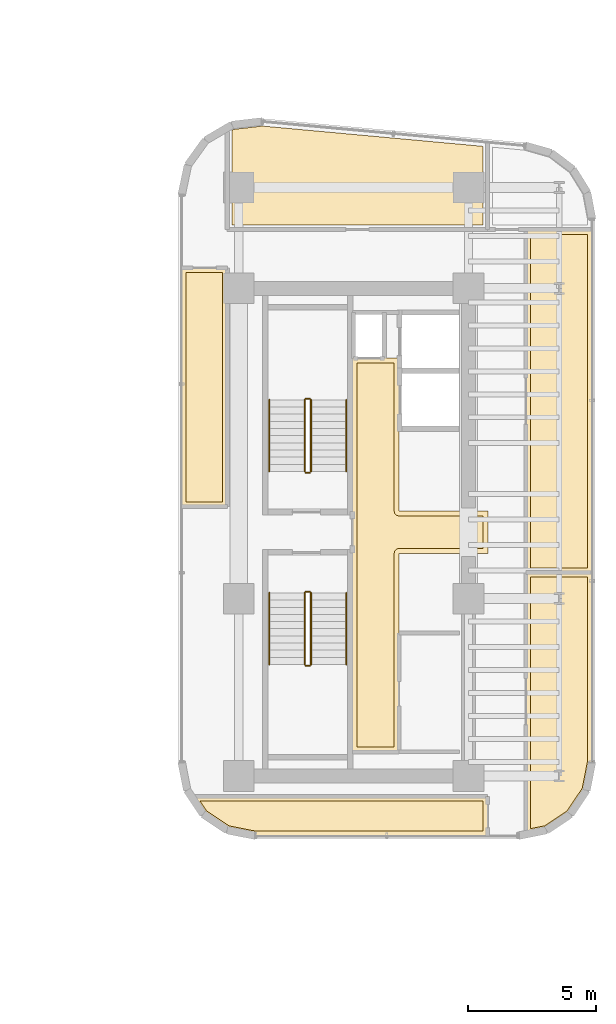
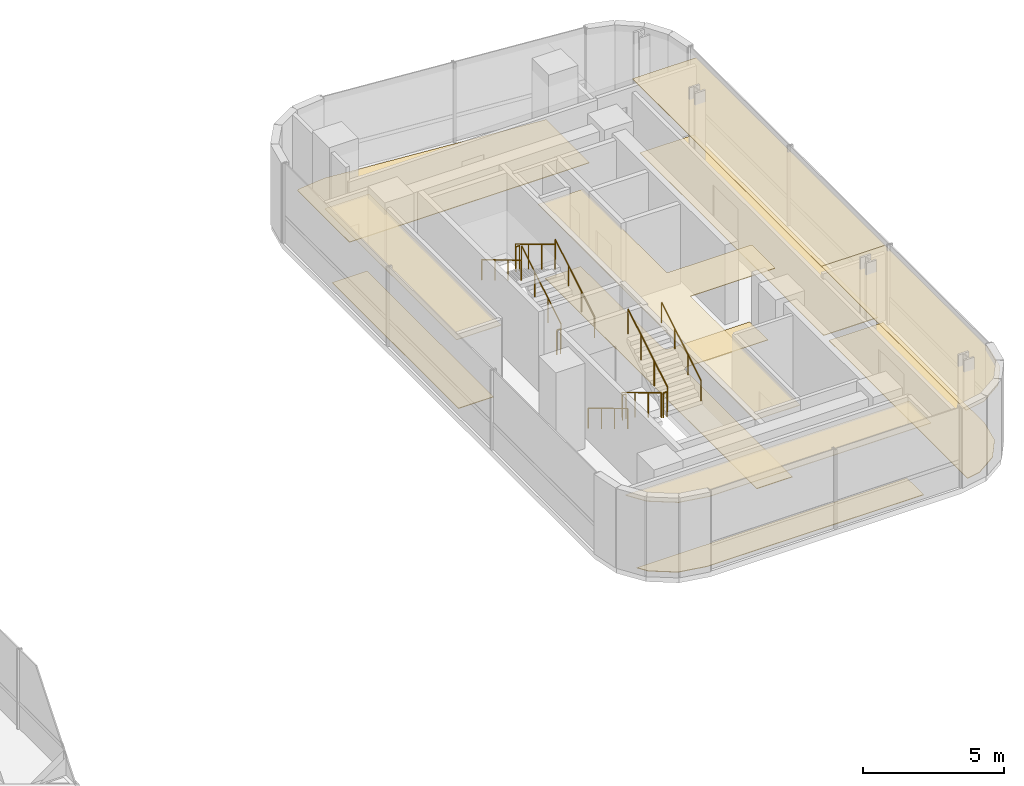
# One storey, part 33 of 34: 12 railings, 11 coverings.
"""IFC4 building model written with IfcOpenShell, lengths in metres."""

from ifc_helpers import new_model, si_unit, direction, frame, origin, origin_2d, place, context, subcontext, project, spatial, polyline, circle, outline, extrude, material, layer, layer_set, type_object, element, save


model = new_model("IFC4")

# Units and contexts
model_context = context("Model", 3, precision=1e-05, world=origin(), true_north=direction((0.0, 1.0)))
body_context = subcontext(model_context, "Body", "Model", "MODEL_VIEW")
ifc_project = project(units=[si_unit("LENGTHUNIT", "METRE"), si_unit("AREAUNIT", "SQUARE_METRE"), si_unit("VOLUMEUNIT", "CUBIC_METRE"), si_unit("PLANEANGLEUNIT", "RADIAN"), si_unit("MASSUNIT", "GRAM", prefix="KILO")], contexts=[model_context])

# Site, building, storey
site_placement = place(None, origin())
site = spatial("IfcSite", under=ifc_project, at=site_placement, CompositionType="ELEMENT")
building_placement = place(site_placement, origin())
building = spatial("IfcBuilding", under=site, at=building_placement, Name="Valdorenza Pilgrim Sanctuary Tower", CompositionType="ELEMENT")
storey_placement = place(building_placement, frame((0.0, 0.0, 164.89990234375)))
storey = spatial("IfcBuildingStorey", under=building, at=storey_placement, Name="L42", CompositionType="ELEMENT", Elevation=164.89990234375)

# Coverings
ifc_material_1 = material(Name="Micro-perforated acoustic mineral ceiling tile", Category="gypsum")
ifc_layer_1 = layer(ifc_material_1, 0.02490234375, Name="Micro-perforated acoustic mineral ceiling tile")
ifc_layer_set_1 = layer_set([ifc_layer_1], Name="Micro-perforated acoustic mineral ceiling tile")
covering_type_1 = type_object("IfcCoveringType", Name="COV-CLG-ACU", PredefinedType="CEILING", material=ifc_layer_set_1)
covering_1_placement = place(storey_placement, frame((0.0, 0.0, 3.16015625)))
element("IfcCovering", 1, at=covering_1_placement, inside=storey, type_object=covering_type_1, Name="L42 Core B Passenger Lift Lobby Acoustic Ceiling", PredefinedType="CEILING", context=body_context, shape_type="SweptSolid", body=[
    extrude(outline(polyline([(20.287109375, -0.814697265625), (20.287109375, 0.814697265625), (20.28662109375, 0.815185546875), (20.2861328125, 0.81640625), (20.28564453125, 0.81787109375), (20.285400390625, 0.819091796875), (20.28515625, 0.820556640625), (20.284912109375, 0.822021484375), (20.284912109375, 6.800048828125), (20.28515625, 6.801513671875), (20.285400390625, 6.802978515625), (20.28564453125, 6.804443359375), (20.2861328125, 6.8056640625), (20.286865234375, 6.80712890625), (20.28759765625, 6.808349609375), (20.288330078125, 6.8095703125), (20.289306640625, 6.810546875), (20.29052734375, 6.8115234375), (20.291748046875, 6.8125), (20.29296875, 6.813232421875), (20.294189453125, 6.81396484375), (20.295654296875, 6.814453125), (20.297119140625, 6.814697265625), (20.298583984375, 6.81494140625), (20.300048828125, 6.81494140625), (20.347900390625, 6.81494140625), (20.349365234375, 6.81494140625), (20.350830078125, 6.814697265625), (20.352294921875, 6.814453125), (20.353515625, 6.81396484375), (20.35498046875, 6.813232421875), (20.35546875, 6.81298828125), (21.544677734375, 6.81298828125), (21.545166015625, 6.813232421875), (21.54638671875, 6.81396484375), (21.5478515625, 6.814453125), (21.54931640625, 6.814697265625), (21.550537109375, 6.81494140625), (21.552001953125, 6.81494140625), (22.1201171875, 6.81494140625), (22.12158203125, 6.81494140625), (22.122802734375, 6.814697265625), (22.12451171875, 6.814453125), (22.125732421875, 6.81396484375), (22.127197265625, 6.813232421875), (22.12841796875, 6.8125), (22.12939453125, 6.8115234375), (22.130615234375, 6.810546875), (22.131591796875, 6.8095703125), (22.132568359375, 6.808349609375), (22.13330078125, 6.80712890625), (22.1337890625, 6.8056640625), (22.134521484375, 6.804443359375), (22.134765625, 6.802978515625), (22.135009765625, 6.801513671875), (22.135009765625, 6.800048828125), (22.135009765625, 0.8349609375), (25.60009765625, 0.8349609375), (25.6015625, 0.8349609375), (25.602783203125, 0.834716796875), (25.6044921875, 0.83447265625), (25.605712890625, 0.833984375), (25.607177734375, 0.833251953125), (25.6083984375, 0.83251953125), (25.609619140625, 0.83154296875), (25.610595703125, 0.83056640625), (25.611572265625, 0.82958984375), (25.612548828125, 0.828369140625), (25.61328125, 0.8271484375), (25.614013671875, 0.82568359375), (25.614501953125, 0.824462890625), (25.61474609375, 0.822998046875), (25.614990234375, 0.821533203125), (25.614990234375, 0.820068359375), (25.614990234375, -0.820068359375), (25.614990234375, -0.821533203125), (25.61474609375, -0.822998046875), (25.614501953125, -0.824462890625), (25.614013671875, -0.82568359375), (25.61328125, -0.8271484375), (25.612548828125, -0.828369140625), (25.611572265625, -0.82958984375), (25.610595703125, -0.83056640625), (25.609619140625, -0.83154296875), (25.6083984375, -0.83251953125), (25.607177734375, -0.833251953125), (25.605712890625, -0.833984375), (25.6044921875, -0.83447265625), (25.602783203125, -0.834716796875), (25.6015625, -0.8349609375), (25.60009765625, -0.8349609375), (22.135009765625, -0.8349609375), (22.135009765625, -8.60009765625), (22.135009765625, -8.6015625), (22.134765625, -8.602783203125), (22.134521484375, -8.6044921875), (22.1337890625, -8.605712890625), (22.13330078125, -8.607177734375), (22.132568359375, -8.6083984375), (22.131591796875, -8.609619140625), (22.130615234375, -8.610595703125), (22.12939453125, -8.611572265625), (22.12841796875, -8.612548828125), (22.127197265625, -8.61328125), (22.125732421875, -8.614013671875), (22.12451171875, -8.614501953125), (22.122802734375, -8.61474609375), (22.12158203125, -8.614990234375), (22.1201171875, -8.614990234375), (20.300048828125, -8.614990234375), (20.298583984375, -8.614990234375), (20.297119140625, -8.61474609375), (20.295654296875, -8.614501953125), (20.294189453125, -8.614013671875), (20.29296875, -8.61328125), (20.291748046875, -8.612548828125), (20.29052734375, -8.611572265625), (20.289306640625, -8.610595703125), (20.288330078125, -8.609619140625), (20.28759765625, -8.6083984375), (20.286865234375, -8.607177734375), (20.2861328125, -8.605712890625), (20.28564453125, -8.6044921875), (20.285400390625, -8.602783203125), (20.28515625, -8.6015625), (20.284912109375, -8.60009765625), (20.284912109375, -0.822021484375), (20.28515625, -0.820556640625), (20.285400390625, -0.819091796875), (20.28564453125, -0.81787109375), (20.2861328125, -0.81640625), (20.28662109375, -0.815185546875), (20.287109375, -0.814697265625)])), origin(), (0.0, 0.0, 1.0), 0.02490234375),
])
covering_2_placement = place(storey_placement, frame((0.0, 0.0, 3.16015625)))
element("IfcCovering", 2, at=covering_2_placement, inside=storey, type_object=covering_type_1, Name="L42 Sacred Manuscript Archive L42-BS Acoustic Ceiling", PredefinedType="CEILING", context=body_context, shape_type="SweptSolid", body=[
    extrude(outline(polyline([(25.614990234375, -11.889892578125), (25.614990234375, -11.8916015625), (25.61474609375, -11.892822265625), (25.614501953125, -11.894287109375), (25.614013671875, -11.895751953125), (25.61328125, -11.897216796875), (25.612548828125, -11.898193359375), (25.611572265625, -11.8994140625), (25.610595703125, -11.900634765625), (25.609619140625, -11.901611328125), (25.6083984375, -11.902587890625), (25.607177734375, -11.9033203125), (25.605712890625, -11.90380859375), (25.6044921875, -11.904296875), (25.602783203125, -11.90478515625), (25.6015625, -11.90478515625), (25.60009765625, -11.905029296875), (16.5107421875, -11.905029296875), (16.509521484375, -11.90478515625), (16.5078125, -11.90478515625), (15.391845703125, -11.6826171875), (15.390380859375, -11.682373046875), (15.38916015625, -11.681884765625), (15.3876953125, -11.68115234375), (15.386474609375, -11.680419921875), (14.44970703125, -11.054443359375), (14.448486328125, -11.0537109375), (14.447509765625, -11.052490234375), (14.4462890625, -11.051513671875), (14.445556640625, -11.05029296875), (13.983154296875, -10.3583984375), (13.982421875, -10.357177734375), (13.981689453125, -10.355712890625), (13.981201171875, -10.3544921875), (13.98095703125, -10.352783203125), (13.980712890625, -10.3515625), (13.980712890625, -10.35009765625), (13.980712890625, -10.348388671875), (13.98095703125, -10.34716796875), (13.981201171875, -10.345703125), (13.981689453125, -10.34423828125), (13.982421875, -10.343017578125), (13.983154296875, -10.341796875), (13.98388671875, -10.340576171875), (13.985107421875, -10.33935546875), (13.986083984375, -10.33837890625), (13.9873046875, -10.33740234375), (13.988525390625, -10.3369140625), (13.989990234375, -10.336181640625), (13.9912109375, -10.335693359375), (13.99267578125, -10.335205078125), (13.994140625, -10.335205078125), (13.99560546875, -10.3349609375), (25.60009765625, -10.3349609375), (25.6015625, -10.335205078125), (25.602783203125, -10.335205078125), (25.6044921875, -10.335693359375), (25.605712890625, -10.336181640625), (25.607177734375, -10.3369140625), (25.6083984375, -10.33740234375), (25.609619140625, -10.33837890625), (25.610595703125, -10.33935546875), (25.611572265625, -10.340576171875), (25.612548828125, -10.341796875), (25.61328125, -10.343017578125), (25.614013671875, -10.34423828125), (25.614501953125, -10.345703125), (25.61474609375, -10.34716796875), (25.614990234375, -10.348388671875), (25.614990234375, -10.35009765625), (25.614990234375, -11.889892578125)])), origin(), (0.0, 0.0, 1.0), 0.02490234375),
])
covering_3_placement = place(storey_placement, frame((0.0, 0.0, 3.16015625)))
element("IfcCovering", 3, at=covering_3_placement, inside=storey, type_object=covering_type_1, Name="L42 East Reading Lounge L42-EB1 Acoustic Ceiling", PredefinedType="CEILING", context=body_context, shape_type="SweptSolid", body=[
    extrude(outline(polyline([(29.68994140625, -1.56005859375), (29.69140625, -1.56005859375), (29.69287109375, -1.560302734375), (29.6943359375, -1.560546875), (29.69580078125, -1.56103515625), (29.697021484375, -1.561767578125), (29.6982421875, -1.5625), (29.699462890625, -1.5634765625), (29.70068359375, -1.564453125), (29.70166015625, -1.5654296875), (29.702392578125, -1.566650390625), (29.703125, -1.56787109375), (29.703857421875, -1.5693359375), (29.704345703125, -1.570556640625), (29.70458984375, -1.572021484375), (29.704833984375, -1.573486328125), (29.705078125, -1.574951171875), (29.705078125, -8.9892578125), (29.704833984375, -8.990478515625), (29.70458984375, -8.9921875), (29.482666015625, -10.108154296875), (29.482421875, -10.109619140625), (29.481689453125, -10.11083984375), (29.481201171875, -10.1123046875), (29.48046875, -10.113525390625), (28.8544921875, -11.05029296875), (28.853515625, -11.051513671875), (28.8525390625, -11.052490234375), (28.8515625, -11.0537109375), (28.850341796875, -11.054443359375), (27.91357421875, -11.680419921875), (27.912109375, -11.68115234375), (27.910888671875, -11.681884765625), (27.909423828125, -11.682373046875), (27.908203125, -11.6826171875), (27.102783203125, -11.843017578125), (27.1015625, -11.843017578125), (27.10009765625, -11.84326171875), (27.098388671875, -11.843017578125), (27.09716796875, -11.843017578125), (27.095703125, -11.842529296875), (27.09423828125, -11.842041015625), (27.093017578125, -11.84130859375), (27.091796875, -11.840576171875), (27.090576171875, -11.83984375), (27.08935546875, -11.8388671875), (27.08837890625, -11.837646484375), (27.08740234375, -11.83642578125), (27.0869140625, -11.835205078125), (27.086181640625, -11.833984375), (27.085693359375, -11.83251953125), (27.085205078125, -11.8310546875), (27.085205078125, -11.82958984375), (27.0849609375, -11.828125), (27.0849609375, -1.574951171875), (27.085205078125, -1.573486328125), (27.085205078125, -1.572021484375), (27.085693359375, -1.570556640625), (27.086181640625, -1.5693359375), (27.0869140625, -1.56787109375), (27.08740234375, -1.566650390625), (27.08837890625, -1.5654296875), (27.08935546875, -1.564453125), (27.090576171875, -1.5634765625), (27.091796875, -1.5625), (27.093017578125, -1.561767578125), (27.09423828125, -1.56103515625), (27.095703125, -1.560546875), (27.09716796875, -1.560302734375), (27.098388671875, -1.56005859375), (27.10009765625, -1.56005859375), (29.68994140625, -1.56005859375)])), origin(), (0.0, 0.0, 1.0), 0.02490234375),
])
covering_4_placement = place(storey_placement, frame((0.0, 0.0, 3.16015625)))
element("IfcCovering", 4, at=covering_4_placement, inside=storey, type_object=covering_type_1, Name="L42 East Reading Lounge L42-EB2 Acoustic Ceiling", PredefinedType="CEILING", context=body_context, shape_type="SweptSolid", body=[
    extrude(outline(polyline([(27.0849609375, 11.847900390625), (27.085205078125, 11.849609375), (27.085205078125, 11.850830078125), (27.085693359375, 11.852294921875), (27.086181640625, 11.853759765625), (27.0869140625, 11.85498046875), (27.08740234375, 11.856201171875), (27.08837890625, 11.857421875), (27.08935546875, 11.858642578125), (27.090576171875, 11.859619140625), (27.091796875, 11.860595703125), (27.093017578125, 11.861083984375), (27.09423828125, 11.86181640625), (27.095703125, 11.8623046875), (27.09716796875, 11.86279296875), (27.098388671875, 11.86279296875), (27.10009765625, 11.863037109375), (29.68994140625, 11.863037109375), (29.69140625, 11.86279296875), (29.69287109375, 11.86279296875), (29.6943359375, 11.8623046875), (29.69580078125, 11.86181640625), (29.697021484375, 11.861083984375), (29.6982421875, 11.860595703125), (29.699462890625, 11.859619140625), (29.70068359375, 11.858642578125), (29.70166015625, 11.857421875), (29.702392578125, 11.856201171875), (29.703125, 11.85498046875), (29.703857421875, 11.853759765625), (29.704345703125, 11.852294921875), (29.70458984375, 11.850830078125), (29.704833984375, 11.849609375), (29.705078125, 11.847900390625), (29.705078125, -1.572998046875), (29.704833984375, -1.574462890625), (29.70458984375, -1.575927734375), (29.704345703125, -1.577392578125), (29.703857421875, -1.57861328125), (29.703125, -1.580078125), (29.702392578125, -1.581298828125), (29.70166015625, -1.58251953125), (29.70068359375, -1.58349609375), (29.699462890625, -1.584716796875), (29.6982421875, -1.58544921875), (29.697021484375, -1.586181640625), (29.69580078125, -1.5869140625), (29.6943359375, -1.58740234375), (29.69287109375, -1.587646484375), (29.69140625, -1.587890625), (29.68994140625, -1.587890625), (27.10009765625, -1.587890625), (27.098388671875, -1.587890625), (27.09716796875, -1.587646484375), (27.095703125, -1.58740234375), (27.09423828125, -1.5869140625), (27.093017578125, -1.586181640625), (27.091796875, -1.58544921875), (27.090576171875, -1.584716796875), (27.08935546875, -1.58349609375), (27.08837890625, -1.58251953125), (27.08740234375, -1.581298828125), (27.0869140625, -1.580078125), (27.086181640625, -1.57861328125), (27.085693359375, -1.577392578125), (27.085205078125, -1.575927734375), (27.085205078125, -1.574462890625), (27.0849609375, -1.572998046875), (27.0849609375, 11.847900390625)])), origin(), (0.0, 0.0, 1.0), 0.02490234375),
])
covering_5_placement = place(storey_placement, frame((0.0, 0.0, 3.16015625)))
element("IfcCovering", 5, at=covering_5_placement, inside=storey, type_object=covering_type_1, Name="L42 Courtyard Overlook Salon L42 Acoustic Ceiling", PredefinedType="CEILING", context=body_context, shape_type="SweptSolid", body=[
    extrude(outline(polyline([(15.4150390625, 1.0), (15.414794921875, 0.99853515625), (15.414794921875, 0.9970703125), (15.414306640625, 0.99560546875), (15.413818359375, 0.994384765625), (15.4130859375, 0.992919921875), (15.41259765625, 0.99169921875), (15.41162109375, 0.990478515625), (15.41064453125, 0.989501953125), (15.409423828125, 0.98828125), (15.408203125, 0.987548828125), (15.406982421875, 0.98681640625), (15.40576171875, 0.986083984375), (15.404296875, 0.985595703125), (15.40283203125, 0.9853515625), (15.401611328125, 0.985107421875), (15.39990234375, 0.985107421875), (13.610107421875, 0.985107421875), (13.6083984375, 0.985107421875), (13.607177734375, 0.9853515625), (13.605712890625, 0.985595703125), (13.604248046875, 0.986083984375), (13.602783203125, 0.98681640625), (13.601806640625, 0.987548828125), (13.6005859375, 0.98828125), (13.599365234375, 0.989501953125), (13.598388671875, 0.990478515625), (13.597412109375, 0.99169921875), (13.5966796875, 0.992919921875), (13.59619140625, 0.994384765625), (13.595703125, 0.99560546875), (13.59521484375, 0.9970703125), (13.59521484375, 0.99853515625), (13.594970703125, 1.0), (13.594970703125, 10.35009765625), (13.59521484375, 10.3515625), (13.59521484375, 10.352783203125), (13.595703125, 10.3544921875), (13.59619140625, 10.355712890625), (13.5966796875, 10.357177734375), (13.597412109375, 10.3583984375), (13.598388671875, 10.359619140625), (13.599365234375, 10.360595703125), (13.6005859375, 10.361572265625), (13.601806640625, 10.362548828125), (13.602783203125, 10.36328125), (13.604248046875, 10.364013671875), (13.605712890625, 10.364501953125), (13.607177734375, 10.36474609375), (13.6083984375, 10.364990234375), (13.610107421875, 10.364990234375), (15.39990234375, 10.364990234375), (15.401611328125, 10.364990234375), (15.40283203125, 10.36474609375), (15.404296875, 10.364501953125), (15.40576171875, 10.364013671875), (15.406982421875, 10.36328125), (15.408203125, 10.362548828125), (15.409423828125, 10.361572265625), (15.41064453125, 10.360595703125), (15.41162109375, 10.359619140625), (15.41259765625, 10.3583984375), (15.4130859375, 10.357177734375), (15.413818359375, 10.355712890625), (15.414306640625, 10.3544921875), (15.414794921875, 10.352783203125), (15.414794921875, 10.3515625), (15.4150390625, 10.35009765625), (15.4150390625, 1.0)])), origin(), (0.0, 0.0, 1.0), 0.02490234375),
])
ifc_material_2 = material(Name="Honed travertine stone flooring", Category="masonry")
ifc_layer_2 = layer(ifc_material_2, 0.030029296875, Name="Honed travertine stone flooring")
ifc_layer_set_2 = layer_set([ifc_layer_2], Name="Honed travertine stone flooring")
covering_type_2 = type_object("IfcCoveringType", Name="COV-FLR-TRV", PredefinedType="FLOORING", material=ifc_layer_set_2)
covering_6_placement = place(storey_placement, origin())
element("IfcCovering", 6, at=covering_6_placement, inside=storey, type_object=covering_type_2, Name="L42 Core B Passenger Lift Lobby Flooring", PredefinedType="FLOORING", context=body_context, shape_type="SweptSolid", body=[
    extrude(outline(polyline([(20.47998046875, 6.617919921875), (21.550048828125, 6.617919921875), (21.550537109375, 6.617919921875), (21.93994140625, 6.619384765625), (21.93994140625, 0.820068359375), (21.94091796875, 0.802490234375), (21.943603515625, 0.784912109375), (21.94775390625, 0.767578125), (21.95361328125, 0.751220703125), (21.961181640625, 0.735107421875), (21.97021484375, 0.719970703125), (21.98095703125, 0.705810546875), (21.99267578125, 0.692626953125), (22.005859375, 0.680908203125), (22.02001953125, 0.67041015625), (22.03515625, 0.661376953125), (22.051025390625, 0.65380859375), (22.067626953125, 0.647705078125), (22.0849609375, 0.6435546875), (22.102294921875, 0.640869140625), (22.1201171875, 0.639892578125), (25.419921875, 0.639892578125), (25.419921875, -0.639892578125), (22.1201171875, -0.639892578125), (22.102294921875, -0.640869140625), (22.0849609375, -0.6435546875), (22.067626953125, -0.647705078125), (22.051025390625, -0.65380859375), (22.03515625, -0.661376953125), (22.02001953125, -0.67041015625), (22.005859375, -0.680908203125), (21.99267578125, -0.692626953125), (21.98095703125, -0.705810546875), (21.97021484375, -0.719970703125), (21.961181640625, -0.735107421875), (21.95361328125, -0.751220703125), (21.94775390625, -0.767578125), (21.943603515625, -0.784912109375), (21.94091796875, -0.802490234375), (21.93994140625, -0.820068359375), (21.93994140625, -8.419921875), (20.47998046875, -8.419921875), (20.47998046875, -0.846923828125), (20.47998046875, -0.8466796875), (20.47998046875, -0.8466796875), (20.481689453125, -0.8291015625), (20.481689453125, -0.828857421875), (20.48193359375, -0.820068359375), (20.48193359375, 0.820068359375), (20.47998046875, 6.617919921875)])), origin(), (0.0, 0.0, 1.0), 0.025146484375),
])
covering_7_placement = place(storey_placement, origin())
element("IfcCovering", 7, at=covering_7_placement, inside=storey, type_object=covering_type_2, Name="L42 Curator Research Office L42-BN1 Flooring", PredefinedType="FLOORING", context=body_context, shape_type="SweptSolid", body=[
    extrude(outline(polyline([(15.580078125, 12.030029296875), (15.580078125, 15.7392578125), (15.6396484375, 15.7744140625), (16.7783203125, 15.906982421875), (25.419921875, 15.11181640625), (25.419921875, 12.030029296875), (15.580078125, 12.030029296875)])), origin(), (0.0, 0.0, 1.0), 0.025146484375),
])
covering_8_placement = place(storey_placement, origin())
element("IfcCovering", 8, at=covering_8_placement, inside=storey, type_object=covering_type_2, Name="L42 Sacred Manuscript Archive L42-BS Flooring", PredefinedType="FLOORING", context=body_context, shape_type="SweptSolid", body=[
    extrude(outline(polyline([(25.419921875, -11.7099609375), (16.528564453125, -11.7099609375), (15.465087890625, -11.498291015625), (14.587890625, -10.912109375), (14.33251953125, -10.530029296875), (25.419921875, -10.530029296875), (25.419921875, -11.7099609375)])), origin(), (0.0, 0.0, 1.0), 0.025146484375),
])
covering_9_placement = place(storey_placement, origin())
element("IfcCovering", 9, at=covering_9_placement, inside=storey, type_object=covering_type_2, Name="L42 East Reading Lounge L42-EB1 Flooring", PredefinedType="FLOORING", context=body_context, shape_type="SweptSolid", body=[
    extrude(outline(polyline([(29.510009765625, -1.7548828125), (29.510009765625, -8.971435546875), (29.29833984375, -10.034912109375), (28.712158203125, -10.912109375), (27.8349609375, -11.498291015625), (27.280029296875, -11.60888671875), (27.280029296875, -1.7548828125), (29.510009765625, -1.7548828125)])), origin(), (0.0, 0.0, 1.0), 0.025146484375),
])
covering_10_placement = place(storey_placement, origin())
element("IfcCovering", 10, at=covering_10_placement, inside=storey, type_object=covering_type_2, Name="L42 East Reading Lounge L42-EB2 Flooring", PredefinedType="FLOORING", context=body_context, shape_type="SweptSolid", body=[
    extrude(outline(polyline([(27.280029296875, 11.66796875), (29.510009765625, 11.66796875), (29.510009765625, -1.39306640625), (27.280029296875, -1.39306640625), (27.280029296875, 11.66796875)])), origin(), (0.0, 0.0, 1.0), 0.025146484375),
])
covering_11_placement = place(storey_placement, origin())
element("IfcCovering", 11, at=covering_11_placement, inside=storey, type_object=covering_type_2, Name="L42 Courtyard Overlook Salon L42 Flooring", PredefinedType="FLOORING", context=body_context, shape_type="SweptSolid", body=[
    extrude(outline(polyline([(15.219970703125, 1.179931640625), (13.7900390625, 1.179931640625), (13.7900390625, 10.169921875), (15.219970703125, 10.169921875), (15.219970703125, 1.179931640625)])), origin(), (0.0, 0.0, 1.0), 0.025146484375),
])

# Railings
ifc_material_3 = material(Name="Stainless steel Grade 316", Category="steel")
railing_type_1 = type_object("IfcRailingType", Name="RLG-GRD-1120", PredefinedType="GUARDRAIL", material=ifc_material_3)
railing_1_placement = place(storey_placement, frame((18.679931640625, 2.3798828125, 0.168212890625)))
element("IfcRailing", 12, at=railing_1_placement, inside=storey, type_object=railing_type_1, Name="L42 ST-B1 stair guard 1", PredefinedType="GUARDRAIL", context=body_context, shape_type="SweptSolid", body=[
    extrude(circle(Radius=0.02392578125, at=origin_2d()), frame((0.0, 0.0, 1.076171875), z_axis=(0.0, 0.857242210791, 0.514913383045), x_axis=(-1.0, 0.0, 0.0)), (0.0, 0.0, 1.0), 3.266357421875),
    extrude(circle(Radius=0.02099609375, at=origin_2d()), origin(), (0.0, 0.0, 1.0), 1.052001953125),
    extrude(circle(Radius=0.02099609375, at=origin_2d()), frame((0.0, 0.933349609375, 0.560546875)), (0.0, 0.0, 1.0), 1.052001953125),
    extrude(circle(Radius=0.02099609375, at=origin_2d()), frame((0.0, 1.86669921875, 1.121337890625)), (0.0, 0.0, 1.0), 1.052001953125),
    extrude(circle(Radius=0.02099609375, at=origin_2d()), frame((0.0, 2.800048828125, 1.681884765625)), (0.0, 0.0, 1.0), 1.052001953125),
])
railing_2_placement = place(storey_placement, frame((18.6298828125, 5.22998046875, 1.85009765625)))
element("IfcRailing", 13, at=railing_2_placement, inside=storey, type_object=railing_type_1, Name="L42 ST-B1 stair guard 2", PredefinedType="GUARDRAIL", context=body_context, shape_type="SweptSolid", body=[
    extrude(circle(Radius=0.02392578125, at=origin_2d()), frame((0.0, 0.0, 1.076171875), z_axis=(-1.0, 0.0, 0.0), x_axis=(0.0, -1.0, 0.0)), (0.0, 0.0, 1.0), 0.14990234375),
    extrude(circle(Radius=0.02099609375, at=origin_2d()), origin(), (0.0, 0.0, 1.0), 1.052001953125),
    extrude(circle(Radius=0.02099609375, at=origin_2d()), frame((-0.14990234375, 0.0, 0.0)), (0.0, 0.0, 1.0), 1.052001953125),
])
railing_3_placement = place(storey_placement, frame((18.429931640625, 5.179931640625, 2.018310546875)))
element("IfcRailing", 14, at=railing_3_placement, inside=storey, type_object=railing_type_1, Name="L42 ST-B1 stair guard 3", PredefinedType="GUARDRAIL", context=body_context, shape_type="SweptSolid", body=[
    extrude(circle(Radius=0.02392578125, at=origin_2d()), frame((0.0, 0.0, 1.076171875), z_axis=(0.0, -0.857242210791, 0.514913383045), x_axis=(1.0, 0.0, 0.0)), (0.0, 0.0, 1.0), 3.266357421875),
    extrude(circle(Radius=0.02099609375, at=origin_2d()), origin(), (0.0, 0.0, 1.0), 1.052001953125),
    extrude(circle(Radius=0.02099609375, at=origin_2d()), frame((0.0, -0.933349609375, 0.560546875)), (0.0, 0.0, 1.0), 1.052001953125),
    extrude(circle(Radius=0.02099609375, at=origin_2d()), frame((0.0, -1.86669921875, 1.121337890625)), (0.0, 0.0, 1.0), 1.052001953125),
    extrude(circle(Radius=0.02099609375, at=origin_2d()), frame((0.0, -2.800048828125, 1.681884765625)), (0.0, 0.0, 1.0), 1.052001953125),
])
railing_4_placement = place(storey_placement, frame((18.6298828125, 2.330078125, 0.0)))
element("IfcRailing", 15, at=railing_4_placement, inside=storey, type_object=railing_type_1, Name="L42 ST-B1 stair guard 4", PredefinedType="GUARDRAIL", context=body_context, shape_type="SweptSolid", body=[
    extrude(circle(Radius=0.02392578125, at=origin_2d()), frame((0.0, 0.0, 1.076171875), z_axis=(-1.0, 0.0, 0.0), x_axis=(0.0, -1.0, 0.0)), (0.0, 0.0, 1.0), 0.14990234375),
    extrude(circle(Radius=0.02099609375, at=origin_2d()), origin(), (0.0, 0.0, 1.0), 1.052001953125),
    extrude(circle(Radius=0.02099609375, at=origin_2d()), frame((-0.14990234375, 0.0, 0.0)), (0.0, 0.0, 1.0), 1.052001953125),
])
railing_5_placement = place(storey_placement, frame((18.429931640625, -2.3798828125, 0.168212890625)))
element("IfcRailing", 16, at=railing_5_placement, inside=storey, type_object=railing_type_1, Name="L42 ST-B2 stair guard 1", PredefinedType="GUARDRAIL", context=body_context, shape_type="SweptSolid", body=[
    extrude(circle(Radius=0.02392578125, at=origin_2d()), frame((0.0, 0.0, 1.076171875), z_axis=(0.0, -0.857242210791, 0.514913383045), x_axis=(1.0, 0.0, 0.0)), (0.0, 0.0, 1.0), 3.266357421875),
    extrude(circle(Radius=0.02099609375, at=origin_2d()), origin(), (0.0, 0.0, 1.0), 1.052001953125),
    extrude(circle(Radius=0.02099609375, at=origin_2d()), frame((0.0, -0.933349609375, 0.560546875)), (0.0, 0.0, 1.0), 1.052001953125),
    extrude(circle(Radius=0.02099609375, at=origin_2d()), frame((0.0, -1.86669921875, 1.121337890625)), (0.0, 0.0, 1.0), 1.052001953125),
    extrude(circle(Radius=0.02099609375, at=origin_2d()), frame((0.0, -2.800048828125, 1.681884765625)), (0.0, 0.0, 1.0), 1.052001953125),
])
railing_6_placement = place(storey_placement, frame((18.47998046875, -5.22998046875, 1.85009765625)))
element("IfcRailing", 17, at=railing_6_placement, inside=storey, type_object=railing_type_1, Name="L42 ST-B2 stair guard 2", PredefinedType="GUARDRAIL", context=body_context, shape_type="SweptSolid", body=[
    extrude(circle(Radius=0.02392578125, at=origin_2d()), frame((0.0, 0.0, 1.076171875), z_axis=(1.0, 0.0, 0.0), x_axis=(0.0, 1.0, 0.0)), (0.0, 0.0, 1.0), 0.14990234375),
    extrude(circle(Radius=0.02099609375, at=origin_2d()), origin(), (0.0, 0.0, 1.0), 1.052001953125),
    extrude(circle(Radius=0.02099609375, at=origin_2d()), frame((0.14990234375, 0.0, 0.0)), (0.0, 0.0, 1.0), 1.052001953125),
])
railing_7_placement = place(storey_placement, frame((18.679931640625, -5.179931640625, 2.018310546875)))
element("IfcRailing", 18, at=railing_7_placement, inside=storey, type_object=railing_type_1, Name="L42 ST-B2 stair guard 3", PredefinedType="GUARDRAIL", context=body_context, shape_type="SweptSolid", body=[
    extrude(circle(Radius=0.02392578125, at=origin_2d()), frame((0.0, 0.0, 1.076171875), z_axis=(0.0, 0.857242210791, 0.514913383045), x_axis=(-1.0, 0.0, 0.0)), (0.0, 0.0, 1.0), 3.266357421875),
    extrude(circle(Radius=0.02099609375, at=origin_2d()), origin(), (0.0, 0.0, 1.0), 1.052001953125),
    extrude(circle(Radius=0.02099609375, at=origin_2d()), frame((0.0, 0.933349609375, 0.560546875)), (0.0, 0.0, 1.0), 1.052001953125),
    extrude(circle(Radius=0.02099609375, at=origin_2d()), frame((0.0, 1.86669921875, 1.121337890625)), (0.0, 0.0, 1.0), 1.052001953125),
    extrude(circle(Radius=0.02099609375, at=origin_2d()), frame((0.0, 2.800048828125, 1.681884765625)), (0.0, 0.0, 1.0), 1.052001953125),
])
railing_8_placement = place(storey_placement, frame((18.47998046875, -2.330078125, 0.0)))
element("IfcRailing", 19, at=railing_8_placement, inside=storey, type_object=railing_type_1, Name="L42 ST-B2 stair guard 4", PredefinedType="GUARDRAIL", context=body_context, shape_type="SweptSolid", body=[
    extrude(circle(Radius=0.02392578125, at=origin_2d()), frame((0.0, 0.0, 1.076171875), z_axis=(1.0, 0.0, 0.0), x_axis=(0.0, 1.0, 0.0)), (0.0, 0.0, 1.0), 0.14990234375),
    extrude(circle(Radius=0.02099609375, at=origin_2d()), origin(), (0.0, 0.0, 1.0), 1.052001953125),
    extrude(circle(Radius=0.02099609375, at=origin_2d()), frame((0.14990234375, 0.0, 0.0)), (0.0, 0.0, 1.0), 1.052001953125),
])
ifc_material_4 = material(Name="Brushed stainless steel Grade 316", Category="steel")
railing_type_2 = type_object("IfcRailingType", Name="RLG-HND-920", PredefinedType="HANDRAIL", material=ifc_material_4)
railing_9_placement = place(storey_placement, frame((20.06005859375, 2.3798828125, 0.168212890625)))
element("IfcRailing", 20, at=railing_9_placement, inside=storey, type_object=railing_type_2, Name="L42 ST-B1 stair handrail 1", PredefinedType="HANDRAIL", context=body_context, shape_type="SweptSolid", body=[
    extrude(circle(Radius=0.02392578125, at=origin_2d()), frame((0.0, 0.0, 0.8759765625), z_axis=(0.0, 0.857242210791, 0.514913383045), x_axis=(-1.0, 0.0, 0.0)), (0.0, 0.0, 1.0), 3.266357421875),
    extrude(circle(Radius=0.02099609375, at=origin_2d()), origin(), (0.0, 0.0, 1.0), 0.851806640625),
    extrude(circle(Radius=0.02099609375, at=origin_2d()), frame((0.0, 0.933349609375, 0.560546875)), (0.0, 0.0, 1.0), 0.851806640625),
    extrude(circle(Radius=0.02099609375, at=origin_2d()), frame((0.0, 1.86669921875, 1.121337890625)), (0.0, 0.0, 1.0), 0.851806640625),
    extrude(circle(Radius=0.02099609375, at=origin_2d()), frame((0.0, 2.800048828125, 1.681884765625)), (0.0, 0.0, 1.0), 0.851806640625),
])
for number, where, name in (
    (21, (17.050048828125, 5.179931640625, 2.018310546875), "L42 ST-B1 stair handrail 2"),
    (22, (17.050048828125, -2.3798828125, 0.168212890625), "L42 ST-B2 stair handrail 1"),
):
    element("IfcRailing", number, at=place(storey_placement, frame(where)), inside=storey, type_object=railing_type_2, Name=name, PredefinedType="HANDRAIL", context=body_context, shape_type="SweptSolid", body=[
        extrude(circle(Radius=0.02392578125, at=origin_2d()), frame((0.0, 0.0, 0.8759765625), z_axis=(0.0, -0.857242210791, 0.514913383045), x_axis=(1.0, 0.0, 0.0)), (0.0, 0.0, 1.0), 3.266357421875),
        extrude(circle(Radius=0.02099609375, at=origin_2d()), origin(), (0.0, 0.0, 1.0), 0.851806640625),
        extrude(circle(Radius=0.02099609375, at=origin_2d()), frame((0.0, -0.933349609375, 0.560546875)), (0.0, 0.0, 1.0), 0.851806640625),
        extrude(circle(Radius=0.02099609375, at=origin_2d()), frame((0.0, -1.86669921875, 1.121337890625)), (0.0, 0.0, 1.0), 0.851806640625),
        extrude(circle(Radius=0.02099609375, at=origin_2d()), frame((0.0, -2.800048828125, 1.681884765625)), (0.0, 0.0, 1.0), 0.851806640625),
    ])
railing_10_placement = place(storey_placement, frame((20.06005859375, -5.179931640625, 2.018310546875)))
element("IfcRailing", 23, at=railing_10_placement, inside=storey, type_object=railing_type_2, Name="L42 ST-B2 stair handrail 2", PredefinedType="HANDRAIL", context=body_context, shape_type="SweptSolid", body=[
    extrude(circle(Radius=0.02392578125, at=origin_2d()), frame((0.0, 0.0, 0.8759765625), z_axis=(0.0, 0.857242210791, 0.514913383045), x_axis=(-1.0, 0.0, 0.0)), (0.0, 0.0, 1.0), 3.266357421875),
    extrude(circle(Radius=0.02099609375, at=origin_2d()), origin(), (0.0, 0.0, 1.0), 0.851806640625),
    extrude(circle(Radius=0.02099609375, at=origin_2d()), frame((0.0, 0.933349609375, 0.560546875)), (0.0, 0.0, 1.0), 0.851806640625),
    extrude(circle(Radius=0.02099609375, at=origin_2d()), frame((0.0, 1.86669921875, 1.121337890625)), (0.0, 0.0, 1.0), 0.851806640625),
    extrude(circle(Radius=0.02099609375, at=origin_2d()), frame((0.0, 2.800048828125, 1.681884765625)), (0.0, 0.0, 1.0), 0.851806640625),
])

save(model, "model.ifc")
